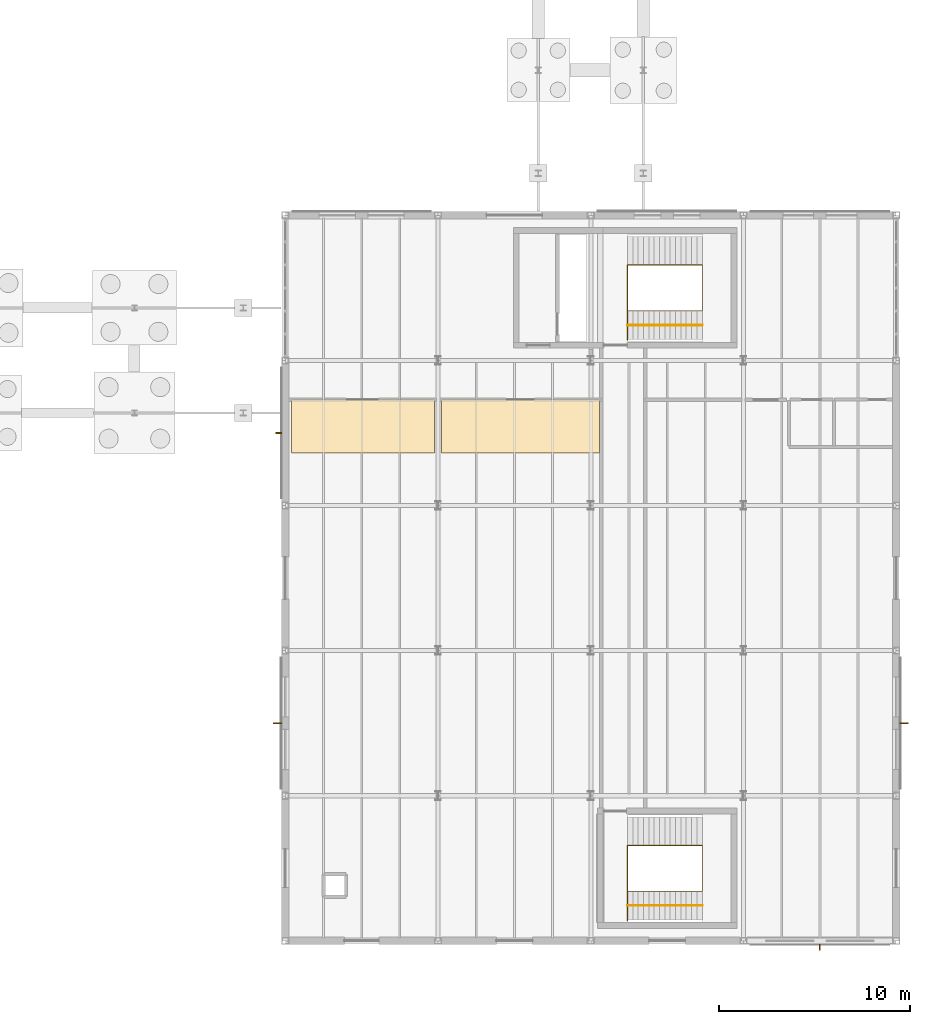
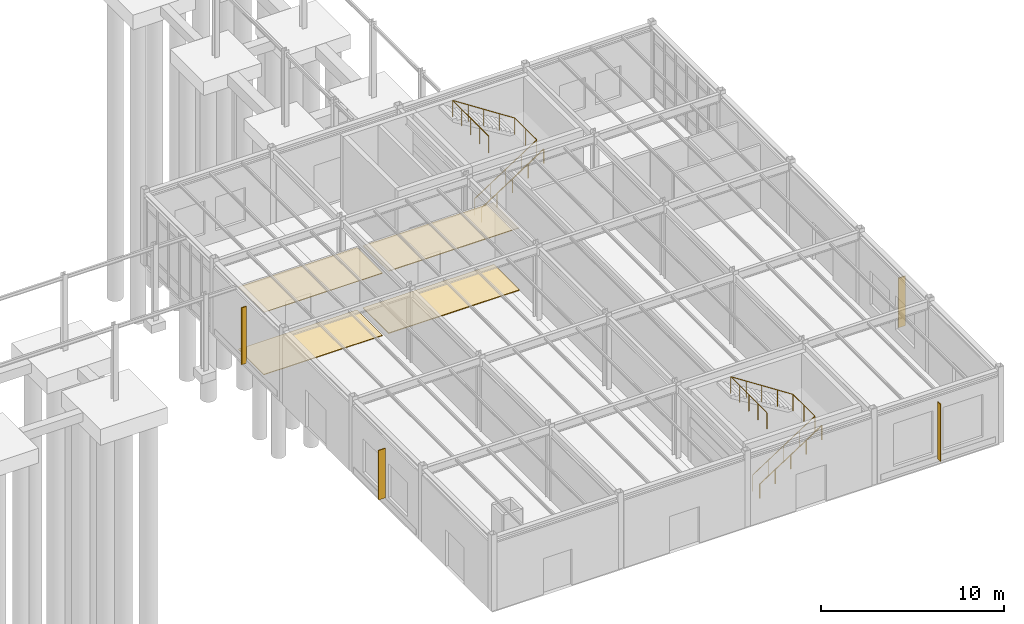
# One storey, part 106 of 109: 4 coverings, 4 railings, 4 shading devices.
"""IFC4 building model written with IfcOpenShell, lengths in metres."""

from ifc_helpers import new_model, si_unit, direction, frame, origin, origin_2d, place, context, subcontext, project, spatial, polyline, rectangle, circle, outline, extrude, material, layer, layer_set, type_object, element, save


model = new_model("IFC4")

# Units and contexts
model_context = context("Model", 3, precision=1e-05, world=origin(), true_north=direction((0.0, 1.0)))
body_context = subcontext(model_context, "Body", "Model", "MODEL_VIEW")
ifc_project = project(units=[si_unit("LENGTHUNIT", "METRE"), si_unit("AREAUNIT", "SQUARE_METRE"), si_unit("VOLUMEUNIT", "CUBIC_METRE"), si_unit("PLANEANGLEUNIT", "RADIAN"), si_unit("MASSUNIT", "GRAM", prefix="KILO")], contexts=[model_context])

# Site, building, storey
site_placement = place(None, origin())
site = spatial("IfcSite", under=ifc_project, at=site_placement, CompositionType="ELEMENT")
building_placement = place(site_placement, origin())
building = spatial("IfcBuilding", under=site, at=building_placement, Name="Montecoro Central Library", CompositionType="ELEMENT")
storey_placement = place(building_placement, origin())
storey = spatial("IfcBuildingStorey", under=building, at=storey_placement, Name="L00", CompositionType="ELEMENT", Elevation=0.0)

# Coverings
ifc_material_1 = material(Name="Acoustic perforated mineral ceiling")
ifc_layer_1 = layer(ifc_material_1, 0.0400390625)
ifc_layer_set_1 = layer_set([ifc_layer_1], Name="Acoustic perforated mineral ceiling")
covering_type_1 = type_object("IfcCoveringType", Name="COV-CLG-03", PredefinedType="CEILING", material=ifc_layer_set_1)
covering_1_placement = place(storey_placement, frame((0.0, 0.0, 4.159912109375)))
element("IfcCovering", 1, at=covering_1_placement, inside=storey, type_object=covering_type_1, Name="CLG-SP-V6-L00-R1P1", PredefinedType="CEILING", context=body_context, shape_type="SweptSolid", body=[
    extrude(outline(polyline([(141.320068359375, 30.550048828125), (148.81005859375, 30.550048828125), (148.81005859375, 33.35009765625), (141.320068359375, 33.35009765625), (141.320068359375, 30.550048828125)])), origin(), (0.0, 0.0, 1.0), 0.0400390625),
])
ifc_layer_2 = layer(ifc_material_1, 0.048095703125)
ifc_layer_set_2 = layer_set([ifc_layer_2], Name="Acoustic perforated mineral ceiling")
covering_type_2 = type_object("IfcCoveringType", Name="COV-CLG-04", PredefinedType="CEILING", material=ifc_layer_set_2)
covering_2_placement = place(storey_placement, frame((0.0, 0.0, 4.152099609375)))
element("IfcCovering", 2, at=covering_2_placement, inside=storey, type_object=covering_type_2, Name="CLG-SP-V6-L00-R2P1", PredefinedType="CEILING", context=body_context, shape_type="SweptSolid", body=[
    extrude(outline(polyline([(149.18994140625, 30.550048828125), (157.449951171875, 30.550048828125), (157.449951171875, 33.35009765625), (149.18994140625, 33.35009765625), (149.18994140625, 30.550048828125)])), origin(), (0.0, 0.0, 1.0), 0.0478515625),
])
ifc_material_2 = material(Name="Neapolitan brass-inlaid terrazzo flooring")
ifc_layer_3 = layer(ifc_material_2, 0.0439453125)
ifc_layer_set_3 = layer_set([ifc_layer_3], Name="Neapolitan brass-inlaid terrazzo flooring")
covering_type_3 = type_object("IfcCoveringType", Name="COV-FLR-03", PredefinedType="FLOORING", material=ifc_layer_set_3)
covering_3_placement = place(storey_placement, origin())
element("IfcCovering", 3, at=covering_3_placement, inside=storey, type_object=covering_type_3, Name="FLR-SP-V6-L00-R1P1", PredefinedType="FLOORING", context=body_context, shape_type="SweptSolid", body=[
    extrude(outline(polyline([(141.320068359375, 30.550048828125), (148.81005859375, 30.550048828125), (148.81005859375, 33.35009765625), (141.320068359375, 33.35009765625), (141.320068359375, 30.550048828125)])), origin(), (0.0, 0.0, 1.0), 0.0439453125),
])
ifc_layer_4 = layer(ifc_material_2, 0.052001953125)
ifc_layer_set_4 = layer_set([ifc_layer_4], Name="Neapolitan brass-inlaid terrazzo flooring")
covering_type_4 = type_object("IfcCoveringType", Name="COV-FLR-04", PredefinedType="FLOORING", material=ifc_layer_set_4)
covering_4_placement = place(storey_placement, origin())
element("IfcCovering", 4, at=covering_4_placement, inside=storey, type_object=covering_type_4, Name="FLR-SP-V6-L00-R2P1", PredefinedType="FLOORING", context=body_context, shape_type="SweptSolid", body=[
    extrude(outline(polyline([(149.18994140625, 30.550048828125), (157.449951171875, 30.550048828125), (157.449951171875, 33.35009765625), (149.18994140625, 33.35009765625), (149.18994140625, 30.550048828125)])), origin(), (0.0, 0.0, 1.0), 0.052001953125),
])

# Railings
ifc_material_3 = material(Name="Brushed stainless steel and bronze balustrade", Category="steel")
railing_type_1 = type_object("IfcRailingType", Name="GRD-INT-110", PredefinedType="GUARDRAIL", material=ifc_material_3)
railing_1_placement = place(storey_placement, frame((158.919921875, 38.0, 0.0)))
element("IfcRailing", 5, at=railing_1_placement, inside=storey, type_object=railing_type_1, Name="C7-L00-STR-GRD", PredefinedType="GUARDRAIL", context=body_context, shape_type="SweptSolid", body=[
    extrude(circle(Radius=0.02392578125, at=origin_2d()), frame((0.0, 0.0, 1.09619140625), z_axis=(0.838253921411, 0.0, 0.545280077794), x_axis=(0.0, 1.0, 0.0)), (0.0, 0.0, 1.0), 4.676513671875),
    extrude(circle(Radius=0.02392578125, at=origin_2d()), frame((3.920166015625, 0.0, 3.64599609375), z_axis=(0.0, 1.0, 0.0), x_axis=(-1.0, 0.0, 0.0)), (0.0, 0.0, 1.0), 2.39990234375),
    extrude(circle(Radius=0.02392578125, at=origin_2d()), frame((3.920166015625, 2.39990234375, 3.64599609375), z_axis=(-0.838253921411, 0.0, 0.545280077794), x_axis=(0.0, -1.0, 0.0)), (0.0, 0.0, 1.0), 4.676513671875),
    extrude(circle(Radius=0.02392578125, at=origin_2d()), frame((0.0, 2.39990234375, 6.1962890625), z_axis=(0.0, -1.0, 0.0), x_axis=(1.0, 0.0, 0.0)), (0.0, 0.0, 1.0), 3.949951171875),
    extrude(circle(Radius=0.02099609375, at=origin_2d()), origin(), (0.0, 0.0, 1.0), 1.072021484375),
    extrude(circle(Radius=0.02099609375, at=origin_2d()), frame((0.97998046875, 0.0, 0.637451171875)), (0.0, 0.0, 1.0), 1.072021484375),
    extrude(circle(Radius=0.02099609375, at=origin_2d()), frame((1.9599609375, 0.0, 1.27490234375)), (0.0, 0.0, 1.0), 1.072021484375),
    extrude(circle(Radius=0.02099609375, at=origin_2d()), frame((2.940185546875, 0.0, 1.91259765625)), (0.0, 0.0, 1.0), 1.072021484375),
    extrude(circle(Radius=0.02099609375, at=origin_2d()), frame((3.920166015625, 0.0, 2.550048828125)), (0.0, 0.0, 1.0), 1.072021484375),
    extrude(circle(Radius=0.02099609375, at=origin_2d()), frame((3.920166015625, 1.199951171875, 2.550048828125)), (0.0, 0.0, 1.0), 1.072021484375),
    extrude(circle(Radius=0.02099609375, at=origin_2d()), frame((3.920166015625, 2.39990234375, 2.550048828125)), (0.0, 0.0, 1.0), 1.072021484375),
    extrude(circle(Radius=0.02099609375, at=origin_2d()), frame((2.940185546875, 2.39990234375, 3.1875)), (0.0, 0.0, 1.0), 1.072021484375),
    extrude(circle(Radius=0.02099609375, at=origin_2d()), frame((1.9599609375, 2.39990234375, 3.8251953125)), (0.0, 0.0, 1.0), 1.072021484375),
    extrude(circle(Radius=0.02099609375, at=origin_2d()), frame((0.97998046875, 2.39990234375, 4.462646484375)), (0.0, 0.0, 1.0), 1.072021484375),
    extrude(circle(Radius=0.02099609375, at=origin_2d()), frame((0.0, 2.39990234375, 5.10009765625)), (0.0, 0.0, 1.0), 1.072021484375),
    extrude(circle(Radius=0.02099609375, at=origin_2d()), frame((0.0, 1.412353515625, 5.10009765625)), (0.0, 0.0, 1.0), 1.072021484375),
    extrude(circle(Radius=0.02099609375, at=origin_2d()), frame((0.0, 0.4248046875, 5.10009765625)), (0.0, 0.0, 1.0), 1.072021484375),
    extrude(circle(Radius=0.02099609375, at=origin_2d()), frame((0.0, -0.5625, 5.10009765625)), (0.0, 0.0, 1.0), 1.072021484375),
    extrude(circle(Radius=0.02099609375, at=origin_2d()), frame((0.0, -1.550048828125, 5.10009765625)), (0.0, 0.0, 1.0), 1.072021484375),
])
railing_2_placement = place(storey_placement, frame((158.919921875, 7.60009765625, 0.0)))
element("IfcRailing", 6, at=railing_2_placement, inside=storey, type_object=railing_type_1, Name="C10-L00-STR-GRD", PredefinedType="GUARDRAIL", context=body_context, shape_type="SweptSolid", body=[
    extrude(circle(Radius=0.02392578125, at=origin_2d()), frame((0.0, 0.0, 1.09619140625), z_axis=(0.838253921411, 0.0, 0.545280077794), x_axis=(0.0, 1.0, 0.0)), (0.0, 0.0, 1.0), 4.676513671875),
    extrude(circle(Radius=0.02392578125, at=origin_2d()), frame((3.920166015625, 0.0, 3.64599609375), z_axis=(0.0, 1.0, 0.0), x_axis=(-1.0, 0.0, 0.0)), (0.0, 0.0, 1.0), 2.39990234375),
    extrude(circle(Radius=0.02392578125, at=origin_2d()), frame((3.920166015625, 2.39990234375, 3.64599609375), z_axis=(-0.838253921411, 0.0, 0.545280077794), x_axis=(0.0, -1.0, 0.0)), (0.0, 0.0, 1.0), 4.676513671875),
    extrude(circle(Radius=0.02392578125, at=origin_2d()), frame((0.0, 2.39990234375, 6.1962890625), z_axis=(0.0, -1.0, 0.0), x_axis=(1.0, 0.0, 0.0)), (0.0, 0.0, 1.0), 3.949951171875),
    extrude(circle(Radius=0.02099609375, at=origin_2d()), origin(), (0.0, 0.0, 1.0), 1.072021484375),
    extrude(circle(Radius=0.02099609375, at=origin_2d()), frame((0.97998046875, 0.0, 0.637451171875)), (0.0, 0.0, 1.0), 1.072021484375),
    extrude(circle(Radius=0.02099609375, at=origin_2d()), frame((1.9599609375, 0.0, 1.27490234375)), (0.0, 0.0, 1.0), 1.072021484375),
    extrude(circle(Radius=0.02099609375, at=origin_2d()), frame((2.940185546875, 0.0, 1.91259765625)), (0.0, 0.0, 1.0), 1.072021484375),
    extrude(circle(Radius=0.02099609375, at=origin_2d()), frame((3.920166015625, 0.0, 2.550048828125)), (0.0, 0.0, 1.0), 1.072021484375),
    extrude(circle(Radius=0.02099609375, at=origin_2d()), frame((3.920166015625, 1.199951171875, 2.550048828125)), (0.0, 0.0, 1.0), 1.072021484375),
    extrude(circle(Radius=0.02099609375, at=origin_2d()), frame((3.920166015625, 2.39990234375, 2.550048828125)), (0.0, 0.0, 1.0), 1.072021484375),
    extrude(circle(Radius=0.02099609375, at=origin_2d()), frame((2.940185546875, 2.39990234375, 3.1875)), (0.0, 0.0, 1.0), 1.072021484375),
    extrude(circle(Radius=0.02099609375, at=origin_2d()), frame((1.9599609375, 2.39990234375, 3.8251953125)), (0.0, 0.0, 1.0), 1.072021484375),
    extrude(circle(Radius=0.02099609375, at=origin_2d()), frame((0.97998046875, 2.39990234375, 4.462646484375)), (0.0, 0.0, 1.0), 1.072021484375),
    extrude(circle(Radius=0.02099609375, at=origin_2d()), frame((0.0, 2.39990234375, 5.10009765625)), (0.0, 0.0, 1.0), 1.072021484375),
    extrude(circle(Radius=0.02099609375, at=origin_2d()), frame((0.0, 1.412353515625, 5.10009765625)), (0.0, 0.0, 1.0), 1.072021484375),
    extrude(circle(Radius=0.02099609375, at=origin_2d()), frame((0.0, 0.4248046875, 5.10009765625)), (0.0, 0.0, 1.0), 1.072021484375),
    extrude(circle(Radius=0.02099609375, at=origin_2d()), frame((0.0, -0.5625, 5.10009765625)), (0.0, 0.0, 1.0), 1.072021484375),
    extrude(circle(Radius=0.02099609375, at=origin_2d()), frame((0.0, -1.550048828125, 5.10009765625)), (0.0, 0.0, 1.0), 1.072021484375),
])
ifc_material_4 = material(Name="Brushed architectural bronze handrail")
railing_type_2 = type_object("IfcRailingType", Name="HRL-STR-095", PredefinedType="HANDRAIL", material=ifc_material_4)
for number, where, name in (
    (7, (158.919921875, 37.25, 0.0), "C7-L00-STR-HR1"),
    (8, (158.919921875, 6.85009765625, 0.0), "C10-L00-STR-HR1"),
):
    element("IfcRailing", number, at=place(storey_placement, frame(where)), inside=storey, type_object=railing_type_2, Name=name, PredefinedType="HANDRAIL", context=body_context, shape_type="SweptSolid", body=[
        extrude(circle(Radius=0.02392578125, at=origin_2d()), frame((0.0, 0.0, 0.92578125), z_axis=(0.838253921411, 0.0, 0.545280077794), x_axis=(0.0, 1.0, 0.0)), (0.0, 0.0, 1.0), 4.676513671875),
        extrude(circle(Radius=0.02099609375, at=origin_2d()), origin(), (0.0, 0.0, 1.0), 0.90185546875),
        extrude(circle(Radius=0.02099609375, at=origin_2d()), frame((0.97998046875, 0.0, 0.637451171875)), (0.0, 0.0, 1.0), 0.90185546875),
        extrude(circle(Radius=0.02099609375, at=origin_2d()), frame((1.9599609375, 0.0, 1.27490234375)), (0.0, 0.0, 1.0), 0.90185546875),
        extrude(circle(Radius=0.02099609375, at=origin_2d()), frame((2.940185546875, 0.0, 1.91259765625)), (0.0, 0.0, 1.0), 0.90185546875),
        extrude(circle(Radius=0.02099609375, at=origin_2d()), frame((3.920166015625, 0.0, 2.550048828125)), (0.0, 0.0, 1.0), 0.90185546875),
    ])

# Shading devices
ifc_material_5 = material(Name="Architectural bronze solar fin", Category="aluminium")
shading_device_type_1 = type_object("IfcShadingDeviceType", Name="SHD-FIN-05", PredefinedType="USERDEFINED", material=ifc_material_5)
for number, where, z_axis, x_axis, name in (
    (9, (173.410400390625, 16.39990234375, 0.60009765625), (0.0, 0.0, 1.0), (0.0, 1.0, 0.0), "V6-L00-FIN-E1"),
    (10, (140.589599609375, 16.39990234375, 0.60009765625), (0.0, 0.0, 1.0), (0.0, -1.0, 0.0), "V6-L00-FIN-W1"),
):
    element("IfcShadingDevice", number, at=place(storey_placement, frame(where, z_axis=z_axis, x_axis=x_axis)), inside=storey, type_object=shading_device_type_1, Name=name, ObjectType="SOLAR FIN", PredefinedType="USERDEFINED", context=body_context, shape_type="SweptSolid", body=[
        extrude(rectangle(XDim=0.06005859375, YDim=0.43994140625, at=origin_2d()), origin(), (0.0, 0.0, 1.0), 3.300048828125),
    ])
shading_device_type_2 = type_object("IfcShadingDeviceType", Name="SHD-FIN-07", PredefinedType="USERDEFINED", material=ifc_material_5)
for number, where, z_axis, x_axis, name in (
    (11, (169.0, 4.659423828125, 0.35009765625), (0.0, 0.0, 1.0), (1.0, 0.0, 0.0), "V6-L00-FIN-S3"),
    (12, (140.659423828125, 31.60009765625, 0.35009765625), (0.0, 0.0, 1.0), (0.0, -1.0, 0.0), "V6-L00-FIN-W3"),
):
    element("IfcShadingDevice", number, at=place(storey_placement, frame(where, z_axis=z_axis, x_axis=x_axis)), inside=storey, type_object=shading_device_type_2, Name=name, ObjectType="SOLAR FIN", PredefinedType="USERDEFINED", context=body_context, shape_type="SweptSolid", body=[
        extrude(rectangle(XDim=0.06005859375, YDim=0.300048828125, at=origin_2d()), origin(), (0.0, 0.0, 1.0), 3.800048828125),
    ])

save(model, "model.ifc")
